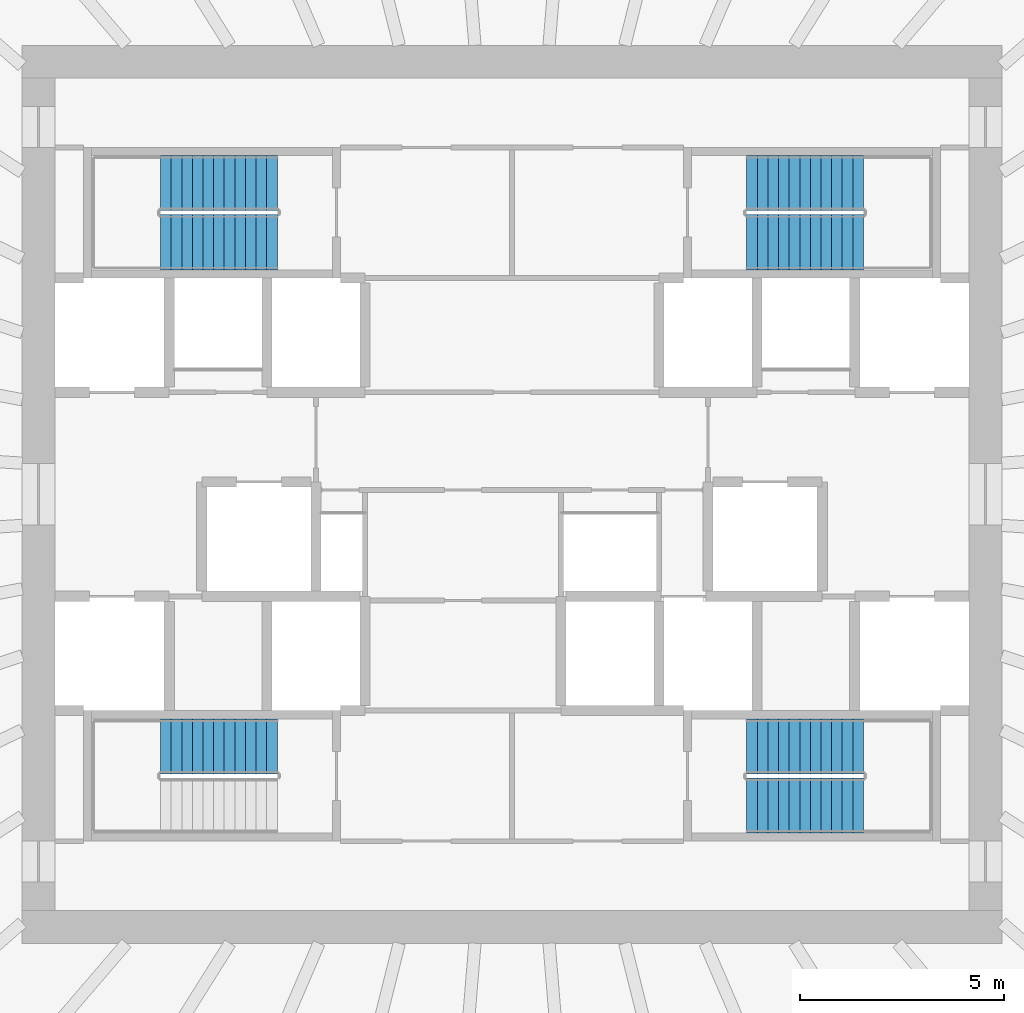
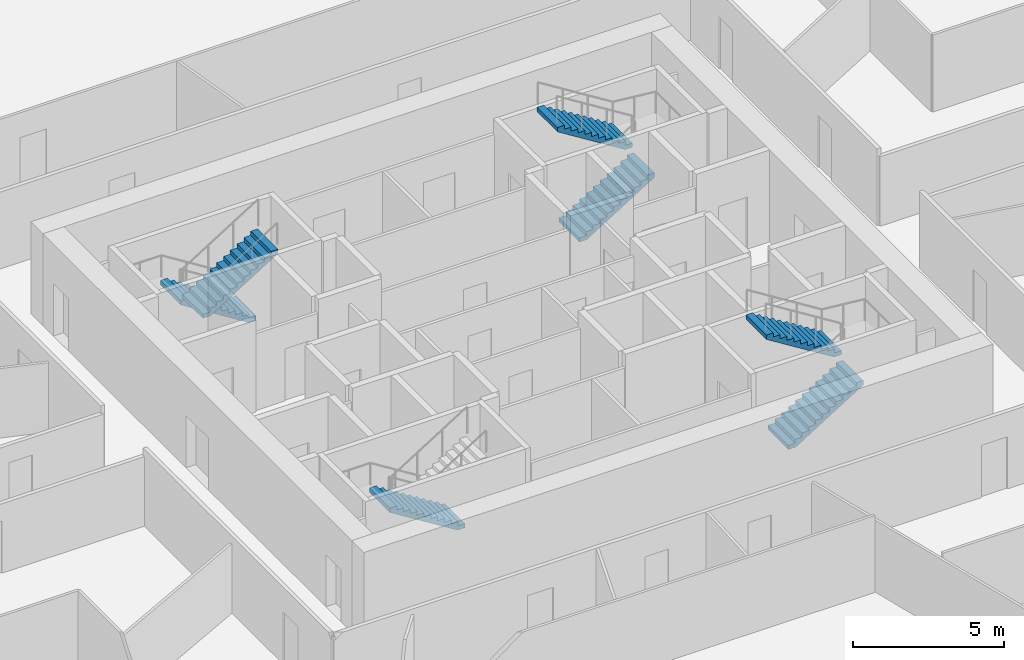
# One storey, part 10 of 11: 7 stair flights, 4 elements without a shape of their own.
"""IFC4 building model written with IfcOpenShell, lengths in metres."""

import ifcopenshell
import ifcopenshell.guid

model = None  # the IFC model being written
_history = None  # IfcOwnerHistory: only IFC2X3 demands one
_inside = {}  # id of a spatial element -> (the spatial element, [elements in it])
_under = {}  # id of a project, library or spatial element -> (it, [spatial elements below it])
_declared = {}  # id of a project -> (the project, [libraries it declares])
_typed = {}  # id of a type object -> (the type object, [elements of that type])
_made_of = {}  # id of a material, layer set ... -> (it, [elements and type objects made of it])


def new_model(schema):
    """Start an empty IFC model of exactly this schema.

    Asked for "IFC4X3", IfcOpenShell would pick the latest addendum, in which some entities
    have other attributes; the version numbers below select the first issue.
    IFC2X3 requires an IfcOwnerHistory on every rooted entity: one is made here for all.
    """
    global model, _history
    if schema == "IFC4X3":
        model = ifcopenshell.file(schema_version=(4, 3, 0, 0))
    else:
        model = ifcopenshell.file(schema=schema)
    _inside.clear()
    _under.clear()
    _declared.clear()
    _typed.clear()
    _made_of.clear()
    _history = None
    if model.schema == "IFC2X3":
        org = make("IfcOrganization", Name="unknown")
        user = make(
            "IfcPersonAndOrganization",
            ThePerson=make("IfcPerson", FamilyName="unknown"),
            TheOrganization=org,
        )
        app = make(
            "IfcApplication",
            ApplicationDeveloper=org,
            Version="unknown",
            ApplicationFullName="unknown",
            ApplicationIdentifier="unknown",
        )
        _history = make(
            "IfcOwnerHistory",
            OwningUser=user,
            OwningApplication=app,
            ChangeAction="ADDED",
            CreationDate=0,
        )
    return model


def make(cls, **values):
    """One entity of the class cls with the attributes given. An attribute that is None is left unset."""
    return model.create_entity(
        cls, **{name: value for name, value in values.items() if value is not None}
    )


def rooted(cls, **values):
    """An entity with a GlobalId (a new one), such as an element, a storey or a relation."""
    return make(cls, GlobalId=ifcopenshell.guid.new(), OwnerHistory=_history, **values)


def si_unit(unit_type, name, prefix=None):
    """IfcSIUnit, for example si_unit("LENGTHUNIT", "METRE", prefix="MILLI")."""
    return make("IfcSIUnit", UnitType=unit_type, Prefix=prefix, Name=name)


def assignment(units):
    """IfcUnitAssignment: the units of a project."""
    return None if units is None else make("IfcUnitAssignment", Units=units)


def point(xyz):
    """IfcCartesianPoint."""
    return None if xyz is None else make("IfcCartesianPoint", Coordinates=xyz)


def direction(xyz):
    """IfcDirection."""
    return None if xyz is None else make("IfcDirection", DirectionRatios=xyz)


def frame(location, z_axis=None, x_axis=None):
    """IfcAxis2Placement3D, a coordinate frame: its origin and axes. An axis left out is left unset."""
    return make(
        "IfcAxis2Placement3D",
        Location=point(location),
        Axis=direction(z_axis),
        RefDirection=direction(x_axis),
    )


def origin():
    """The frame at (0, 0, 0) with its axes left unset."""
    return frame((0.0, 0.0, 0.0))


def place(relative_to, where):
    """IfcLocalPlacement: puts the frame where relative to a parent placement (None: the world)."""
    return make(
        "IfcLocalPlacement", PlacementRelTo=relative_to, RelativePlacement=where
    )


def context(
    kind, dimensions, precision=None, world=None, true_north=None, identifier=None
):
    """IfcGeometricRepresentationContext, for example the 3D "Model" context."""
    return make(
        "IfcGeometricRepresentationContext",
        ContextIdentifier=identifier,
        ContextType=kind,
        CoordinateSpaceDimension=dimensions,
        Precision=precision,
        WorldCoordinateSystem=world,
        TrueNorth=true_north,
    )


def subcontext(parent, identifier, kind, view, scale=None):
    """IfcGeometricRepresentationSubContext, for example "Body" below "Model"."""
    return make(
        "IfcGeometricRepresentationSubContext",
        ContextIdentifier=identifier,
        ContextType=kind,
        ParentContext=parent,
        TargetScale=scale,
        TargetView=view,
    )


def project(units=None, contexts=None):
    """IfcProject with its units and contexts."""
    return rooted(
        "IfcProject",
        Name="project",
        RepresentationContexts=contexts,
        UnitsInContext=assignment(units),
    )


def spatial(cls, under=None, at=None, **own):
    """A site, building, storey or space (cls), placed at a placement, below another one or the project."""
    s = rooted(cls, ObjectPlacement=at, **own)
    if under is not None:
        _under.setdefault(under.id(), (under, []))[1].append(s)
    return s


def polyline(points):
    """IfcPolyline through the points."""
    return make("IfcPolyline", Points=[point(p) for p in points])


def outline(outer, holes=None, kind="AREA"):
    """IfcArbitraryClosedProfileDef: a profile drawn as a closed curve; with holes, ...WithVoids."""
    if holes is None:
        return make("IfcArbitraryClosedProfileDef", ProfileType=kind, OuterCurve=outer)
    return make(
        "IfcArbitraryProfileDefWithVoids",
        ProfileType=kind,
        OuterCurve=outer,
        InnerCurves=holes,
    )


def extrude(swept, where, along, depth):
    """IfcExtrudedAreaSolid: the profile swept, set in the frame where, extruded along a direction by depth."""
    return make(
        "IfcExtrudedAreaSolid",
        SweptArea=swept,
        Position=where,
        ExtrudedDirection=direction(along),
        Depth=depth,
    )


def shape(context_of_items, identifier, shape_type, items):
    """IfcShapeRepresentation: the items that make up one representation, for example the "Body"."""
    return make(
        "IfcShapeRepresentation",
        ContextOfItems=context_of_items,
        RepresentationIdentifier=identifier,
        RepresentationType=shape_type,
        Items=items,
    )


def source(mapping_origin, context_of_items, identifier, shape_type, items):
    """IfcRepresentationMap: a shape defined once, which mapped items show again and again."""
    return make(
        "IfcRepresentationMap",
        MappingOrigin=mapping_origin,
        MappedRepresentation=shape(context_of_items, identifier, shape_type, items),
    )


def transform(
    local_origin,
    x_axis=None,
    y_axis=None,
    z_axis=None,
    scale=None,
    scale2=None,
    scale3=None,
    uniform=True,
):
    """IfcCartesianTransformationOperator3D, or its non-uniform kind. x_axis, y_axis, z_axis: its Axis1, 2, 3."""
    if uniform:
        return make(
            "IfcCartesianTransformationOperator3D",
            Axis1=direction(x_axis),
            Axis2=direction(y_axis),
            LocalOrigin=point(local_origin),
            Scale=scale,
            Axis3=direction(z_axis),
        )
    return make(
        "IfcCartesianTransformationOperator3DnonUniform",
        Axis1=direction(x_axis),
        Axis2=direction(y_axis),
        LocalOrigin=point(local_origin),
        Scale=scale,
        Axis3=direction(z_axis),
        Scale2=scale2,
        Scale3=scale3,
    )


def mapped(mapping_source, mapping_target):
    """IfcMappedItem: shows the shape of a source again, moved by a transform."""
    return make(
        "IfcMappedItem", MappingSource=mapping_source, MappingTarget=mapping_target
    )


def material(Name=None, Category=None):
    """IfcMaterial."""
    return make("IfcMaterial", Name=Name, Category=Category)


def made_of(thing, what):
    """Note that an element or type object is made of a material, layer set ...; save() writes the relation."""
    if what is not None:
        _made_of.setdefault(what.id(), (what, []))[1].append(thing)
    return thing


def type_object(cls, material=None, **own):
    """A type object (cls), such as IfcWallType, which elements share."""
    return made_of(rooted(cls, **own), material)


def element(
    cls,
    number,
    at=None,
    inside=None,
    cuts=None,
    type_object=None,
    material=None,
    context=None,
    identifier="Body",
    shape_type=None,
    held_by="IfcProductDefinitionShape",
    body=None,
    shapes=None,
    **own,
):
    """One element of the class cls, such as IfcWall. Its Tag is "e" and its number.

    at: its placement. inside: the storey or other place that contains it. cuts: it is an
    opening in that element (IfcRelVoidsElement). A single representation is given by context,
    identifier, shape_type and body (its items); several are given by shapes. held_by: the class
    of the entity that holds the representations. save() writes the other relations.
    """
    e = rooted(cls, Tag="e%d" % number, ObjectPlacement=at, **own)
    if body is not None:
        shapes = [shape(context, identifier, shape_type, body)]
    if shapes is not None:
        e.Representation = make(held_by, Representations=shapes)
    if inside is not None:
        _inside.setdefault(inside.id(), (inside, []))[1].append(e)
    if cuts is not None:
        rooted(
            "IfcRelVoidsElement", RelatingBuildingElement=cuts, RelatedOpeningElement=e
        )
    if type_object is not None:
        _typed.setdefault(type_object.id(), (type_object, []))[1].append(e)
    return made_of(e, material)


def aggregate(whole, parts):
    """IfcRelAggregates: a whole, such as a stair, and the parts it consists of."""
    return rooted("IfcRelAggregates", RelatingObject=whole, RelatedObjects=parts)


def save(model, path):
    """Write the relations noted so far, then the file.

    IfcRelAggregates (storeys below a building ...), IfcRelContainedInSpatialStructure (elements
    in a storey), IfcRelDefinesByType, IfcRelAssociatesMaterial and IfcRelDeclares: one each for
    every whole, place, type object, material and project.
    """
    for whole, parts in _under.values():
        aggregate(whole, parts)
    for where, things in _inside.values():
        rooted(
            "IfcRelContainedInSpatialStructure",
            RelatedElements=things,
            RelatingStructure=where,
        )
    for kind, things in _typed.values():
        rooted("IfcRelDefinesByType", RelatedObjects=things, RelatingType=kind)
    for what, things in _made_of.values():
        rooted("IfcRelAssociatesMaterial", RelatedObjects=things, RelatingMaterial=what)
    for by, libraries in _declared.values():
        rooted("IfcRelDeclares", RelatingContext=by, RelatedDefinitions=libraries)
    model.write(path)


model = new_model("IFC4")

# Units and contexts
model_context = context("Model", 3, precision=1e-05, world=origin(), true_north=direction((0.0, 1.0)))
body_context = subcontext(model_context, "Body", "Model", "MODEL_VIEW")
ifc_project = project(units=[si_unit("LENGTHUNIT", "METRE"), si_unit("AREAUNIT", "SQUARE_METRE"), si_unit("VOLUMEUNIT", "CUBIC_METRE"), si_unit("PLANEANGLEUNIT", "RADIAN"), si_unit("MASSUNIT", "GRAM", prefix="KILO")], contexts=[model_context])

# Site, building, storey
site_placement = place(None, origin())
site = spatial("IfcSite", under=ifc_project, at=site_placement, CompositionType="ELEMENT")
building_placement = place(site_placement, origin())
building = spatial("IfcBuilding", under=site, at=building_placement, Name="Embergate Tower", CompositionType="ELEMENT")
storey_placement = place(building_placement, frame((0.0, 0.0, 135.89990234375)))
storey = spatial("IfcBuildingStorey", under=building, at=storey_placement, Name="L29", CompositionType="ELEMENT", Elevation=135.89990234375)

# Stair, stair flights
ifc_material_1 = material(Name="Exit stair")
stair_type = type_object("IfcStairType", Name="Exit stair", PredefinedType="HALF_TURN_STAIR", material=ifc_material_1)
stair_1_placement = place(storey_placement, origin())
stair_1 = element("IfcStair", 1, at=stair_1_placement, inside=storey, type_object=stair_type, Name="L29 Exit stair 1", PredefinedType="HALF_TURN_STAIR")
ifc_material_2 = material(Name="Concrete C40", Category="concrete")
stair_flight_type = type_object("IfcStairFlightType", Name="Stair flight reinforced concrete", PredefinedType="STRAIGHT", material=ifc_material_2)
shared_shape = source(origin(), body_context, "Body", "SweptSolid", [
    extrude(outline(polyline([(0.0, 0.0), (0.0, 0.16259765625), (0.260009765625, 0.16259765625), (0.260009765625, 0.324951171875), (0.52001953125, 0.324951171875), (0.52001953125, 0.487548828125), (0.780029296875, 0.487548828125), (0.780029296875, 0.64990234375), (1.0400390625, 0.64990234375), (1.0400390625, 0.8125), (1.300048828125, 0.8125), (1.300048828125, 0.97509765625), (1.56005859375, 0.97509765625), (1.56005859375, 1.137451171875), (1.820068359375, 1.137451171875), (1.820068359375, 1.300048828125), (2.080078125, 1.300048828125), (2.080078125, 1.46240234375), (2.340087890625, 1.46240234375), (2.340087890625, 1.625), (2.60009765625, 1.625), (2.60009765625, 1.78759765625), (2.860107421875, 1.78759765625), (2.860107421875, 1.949951171875), (2.860107421875, 1.61083984375), (0.28271484375, 0.0), (0.0, 0.0)])), frame((0.0, 0.675048828125, 0.0), z_axis=(0.0, -1.0, 0.0), x_axis=(1.0, 0.0, 0.0)), (0.0, 0.0, 1.0), 1.35009765625),
])
stair_flight_1_placement = place(storey_placement, frame((-5.75, 7.625, 0.0), z_axis=(0.0, 0.0, 1.0), x_axis=(-1.0, 0.0, 0.0)))
stair_flight_1 = element("IfcStairFlight", 2, at=stair_flight_1_placement, type_object=stair_flight_type, Name="ST1 flight 1", NumberOfRisers=12, NumberOfTreads=11, PredefinedType="STRAIGHT", RiserHeight=0.1625, TreadLength=0.26, context=body_context, shape_type="MappedRepresentation", body=[
    mapped(shared_shape, transform((0.0, 0.0, 0.0))),
])
stair_flight_2_placement = place(storey_placement, frame((-8.610107421875, 6.175048828125, 1.9501953125), z_axis=(0.0, 0.0, 1.0), x_axis=(1.0, 0.0, 0.0)))
stair_flight_2 = element("IfcStairFlight", 3, at=stair_flight_2_placement, type_object=stair_flight_type, Name="ST1 flight 2", NumberOfRisers=12, NumberOfTreads=11, PredefinedType="STRAIGHT", RiserHeight=0.1625, TreadLength=0.26, context=body_context, shape_type="MappedRepresentation", body=[
    mapped(shared_shape, transform((0.0, 0.0, 0.0))),
])
aggregate(stair_1, [stair_flight_1, stair_flight_2])

stair_2_placement = place(storey_placement, origin())
stair_2 = element("IfcStair", 4, at=stair_2_placement, inside=storey, type_object=stair_type, Name="L29 Exit stair 2", PredefinedType="HALF_TURN_STAIR")
stair_flight_3_placement = place(storey_placement, frame((5.75, 6.175048828125, 0.0), z_axis=(0.0, 0.0, 1.0), x_axis=(1.0, 0.0, 0.0)))
stair_flight_3 = element("IfcStairFlight", 5, at=stair_flight_3_placement, type_object=stair_flight_type, Name="ST2 flight 1", NumberOfRisers=12, NumberOfTreads=11, PredefinedType="STRAIGHT", RiserHeight=0.1625, TreadLength=0.26, context=body_context, shape_type="MappedRepresentation", body=[
    mapped(shared_shape, transform((0.0, 0.0, 0.0))),
])
stair_flight_4_placement = place(storey_placement, frame((8.610107421875, 7.625, 1.9501953125), z_axis=(0.0, 0.0, 1.0), x_axis=(-1.0, 0.0, 0.0)))
stair_flight_4 = element("IfcStairFlight", 6, at=stair_flight_4_placement, type_object=stair_flight_type, Name="ST2 flight 2", NumberOfRisers=12, NumberOfTreads=11, PredefinedType="STRAIGHT", RiserHeight=0.1625, TreadLength=0.26, context=body_context, shape_type="MappedRepresentation", body=[
    mapped(shared_shape, transform((0.0, 0.0, 0.0))),
])
aggregate(stair_2, [stair_flight_3, stair_flight_4])

# Stair, stair flight
stair_3_placement = place(storey_placement, origin())
stair_3 = element("IfcStair", 7, at=stair_3_placement, inside=storey, type_object=stair_type, Name="L29 Exit stair 3", PredefinedType="HALF_TURN_STAIR")
stair_flight_5_placement = place(storey_placement, frame((-5.75, -6.175048828125, 0.0), z_axis=(0.0, 0.0, 1.0), x_axis=(-1.0, 0.0, 0.0)))
stair_flight_5 = element("IfcStairFlight", 8, at=stair_flight_5_placement, type_object=stair_flight_type, Name="ST3 flight 1", NumberOfRisers=12, NumberOfTreads=11, PredefinedType="STRAIGHT", RiserHeight=0.1625, TreadLength=0.26, context=body_context, shape_type="MappedRepresentation", body=[
    mapped(shared_shape, transform((0.0, 0.0, 0.0))),
])
aggregate(stair_3, [stair_flight_5])

# Stair, stair flights
stair_4_placement = place(storey_placement, origin())
stair_4 = element("IfcStair", 9, at=stair_4_placement, inside=storey, type_object=stair_type, Name="L29 Exit stair 4", PredefinedType="HALF_TURN_STAIR")
stair_flight_6_placement = place(storey_placement, frame((5.75, -7.625, 0.0), z_axis=(0.0, 0.0, 1.0), x_axis=(1.0, 0.0, 0.0)))
stair_flight_6 = element("IfcStairFlight", 10, at=stair_flight_6_placement, type_object=stair_flight_type, Name="ST4 flight 1", NumberOfRisers=12, NumberOfTreads=11, PredefinedType="STRAIGHT", RiserHeight=0.1625, TreadLength=0.26, context=body_context, shape_type="MappedRepresentation", body=[
    mapped(shared_shape, transform((0.0, 0.0, 0.0))),
])
stair_flight_7_placement = place(storey_placement, frame((8.610107421875, -6.175048828125, 1.9501953125), z_axis=(0.0, 0.0, 1.0), x_axis=(-1.0, 0.0, 0.0)))
stair_flight_7 = element("IfcStairFlight", 11, at=stair_flight_7_placement, type_object=stair_flight_type, Name="ST4 flight 2", NumberOfRisers=12, NumberOfTreads=11, PredefinedType="STRAIGHT", RiserHeight=0.1625, TreadLength=0.26, context=body_context, shape_type="MappedRepresentation", body=[
    mapped(shared_shape, transform((0.0, 0.0, 0.0))),
])
aggregate(stair_4, [stair_flight_6, stair_flight_7])

save(model, "model.ifc")
